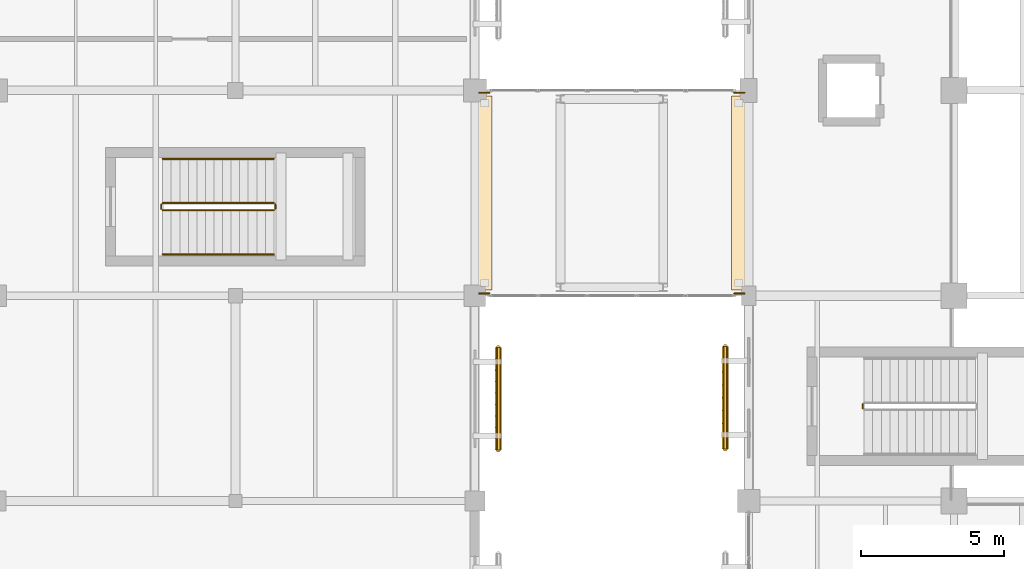
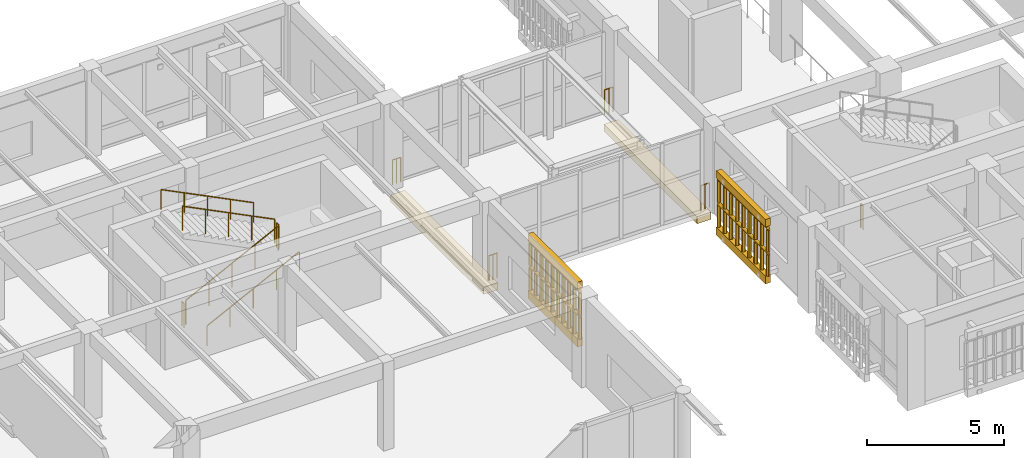
# One storey, part 154 of 170: 15 railings, 6 coverings.
"""IFC4 building model written with IfcOpenShell, lengths in metres."""

from ifc_helpers import new_model, si_unit, direction, frame, origin, origin_2d, place, context, subcontext, project, spatial, polyline, circle, outline, extrude, material, layer, layer_set, type_object, element, save


model = new_model("IFC4")

# Units and contexts
model_context = context("Model", 3, precision=1e-05, world=origin(), true_north=direction((0.0, 1.0)))
body_context = subcontext(model_context, "Body", "Model", "MODEL_VIEW")
ifc_project = project(units=[si_unit("LENGTHUNIT", "METRE"), si_unit("AREAUNIT", "SQUARE_METRE"), si_unit("VOLUMEUNIT", "CUBIC_METRE"), si_unit("PLANEANGLEUNIT", "RADIAN"), si_unit("MASSUNIT", "GRAM", prefix="KILO")], contexts=[model_context])

# Site, building, storey
site_placement = place(None, origin())
site = spatial("IfcSite", under=ifc_project, at=site_placement, CompositionType="ELEMENT")
building_placement = place(site_placement, origin())
building = spatial("IfcBuilding", under=site, at=building_placement, Name="Mazaris Harbour Polytechnic", CompositionType="ELEMENT")
storey_placement = place(building_placement, frame((0.0, 0.0, 5.39990234375)))
storey = spatial("IfcBuildingStorey", under=building, at=storey_placement, Name="L01", CompositionType="ELEMENT", Elevation=5.39990234375)

# Coverings
ifc_material_1 = material(Name="Concrete C40/50", Category="concrete")
ifc_layer_1 = layer(ifc_material_1, 0.320068359375, Name="Concrete C40/50")
ifc_layer_set_1 = layer_set([ifc_layer_1], Name="Concrete C40/50")
covering_type_1 = type_object("IfcCoveringType", Name="Bridge Bearing Corbel 600 Exterior", PredefinedType="CLADDING", material=ifc_layer_set_1)
covering_1_placement = place(storey_placement, frame((0.0, 0.0, -0.64990234375)))
element("IfcCovering", 1, at=covering_1_placement, inside=storey, type_object=covering_type_1, Name="PB-E1 L01 600mm Bridge Bearing Seat Corbel W", PredefinedType="CLADDING", context=body_context, shape_type="SweptSolid", body=[
    extrude(outline(polyline([(112.800048828125, 21.800048828125), (113.39990234375, 21.800048828125), (113.39990234375, 28.60009765625), (112.800048828125, 28.60009765625), (112.800048828125, 21.800048828125)])), origin(), (0.0, 0.0, 1.0), 0.320068359375),
])
covering_2_placement = place(storey_placement, frame((0.0, 0.0, -0.64990234375)))
element("IfcCovering", 2, at=covering_2_placement, inside=storey, type_object=covering_type_1, Name="PB-E1 L01 600mm Bridge Bearing Seat Corbel E", PredefinedType="CLADDING", context=body_context, shape_type="SweptSolid", body=[
    extrude(outline(polyline([(121.800048828125, 21.800048828125), (122.39990234375, 21.800048828125), (122.39990234375, 28.60009765625), (121.800048828125, 28.60009765625), (121.800048828125, 21.800048828125)])), origin(), (0.0, 0.0, 1.0), 0.320068359375),
])

# Railings
ifc_material_2 = material(Name="Steel S355", Category="steel")
railing_type_1 = type_object("IfcRailingType", Name="Mezzanine Steel Guardrail 1100 Exterior", PredefinedType="GUARDRAIL", material=ifc_material_2)
for number, where, name in (
    (3, (112.949951171875, 21.679931640625, 0.0), "PB-E1 L01 Bridge End Guard W0"),
    (4, (121.89990234375, 21.679931640625, 0.0), "PB-E1 L01 Bridge End Guard E0"),
    (5, (112.949951171875, 28.719970703125, 0.0), "PB-E1 L01 Bridge End Guard W1"),
    (6, (121.89990234375, 28.719970703125, 0.0), "PB-E1 L01 Bridge End Guard E1"),
):
    element("IfcRailing", number, at=place(storey_placement, frame(where)), inside=storey, type_object=railing_type_1, Name=name, PredefinedType="GUARDRAIL", context=body_context, shape_type="SweptSolid", body=[
        extrude(circle(Radius=0.02392578125, at=origin_2d()), frame((0.0, 0.0, 1.09619140625), z_axis=(1.0, 0.0, 0.0), x_axis=(0.0, 1.0, 0.0)), (0.0, 0.0, 1.0), 0.35009765625),
        extrude(circle(Radius=0.02099609375, at=origin_2d()), origin(), (0.0, 0.0, 1.0), 1.072021484375),
        extrude(circle(Radius=0.02099609375, at=origin_2d()), frame((0.175048828125, 0.0, 0.0)), (0.0, 0.0, 1.0), 1.072021484375),
        extrude(circle(Radius=0.02099609375, at=origin_2d()), frame((0.35009765625, 0.0, 0.0)), (0.0, 0.0, 1.0), 1.072021484375),
    ])
ifc_material_3 = material(Name="Perforated Earth-Coloured Terracotta Block", Category="masonry")
railing_type_2 = type_object("IfcRailingType", Name="Perforated Earth-Block Claustra Lattice 1040", PredefinedType="BALUSTRADE", material=ifc_material_3)
for number, where, name in (
    (7, (121.580078125, 16.22509765625, 0.52001953125), "V2 L01 Lower Perforated Terracotta Block Screen 59"),
    (8, (121.580078125, 16.22509765625, 1.610107421875), "V2 L01 Upper Perforated Terracotta Block Screen 59"),
):
    element("IfcRailing", number, at=place(storey_placement, frame(where)), inside=storey, type_object=railing_type_2, Name=name, PredefinedType="BALUSTRADE", context=body_context, shape_type="SweptSolid", body=[
        extrude(circle(Radius=0.06982421875, at=origin_2d()), frame((0.0, 0.0, 1.02001953125), z_axis=(0.0, 1.0, 0.0), x_axis=(-1.0, 0.0, 0.0)), (0.0, 0.0, 1.0), 3.599853515625),
        extrude(circle(Radius=0.074951171875, at=origin_2d()), origin(), (0.0, 0.0, 1.0), 0.9501953125),
        extrude(circle(Radius=0.074951171875, at=origin_2d()), frame((0.0, 0.449951171875, 0.0)), (0.0, 0.0, 1.0), 0.9501953125),
        extrude(circle(Radius=0.074951171875, at=origin_2d()), frame((0.0, 0.89990234375, 0.0)), (0.0, 0.0, 1.0), 0.9501953125),
        extrude(circle(Radius=0.074951171875, at=origin_2d()), frame((0.0, 1.349853515625, 0.0)), (0.0, 0.0, 1.0), 0.9501953125),
        extrude(circle(Radius=0.074951171875, at=origin_2d()), frame((0.0, 1.7998046875, 0.0)), (0.0, 0.0, 1.0), 0.9501953125),
        extrude(circle(Radius=0.074951171875, at=origin_2d()), frame((0.0, 2.25, 0.0)), (0.0, 0.0, 1.0), 0.9501953125),
        extrude(circle(Radius=0.074951171875, at=origin_2d()), frame((0.0, 2.699951171875, 0.0)), (0.0, 0.0, 1.0), 0.9501953125),
        extrude(circle(Radius=0.074951171875, at=origin_2d()), frame((0.0, 3.14990234375, 0.0)), (0.0, 0.0, 1.0), 0.9501953125),
        extrude(circle(Radius=0.074951171875, at=origin_2d()), frame((0.0, 3.599853515625, 0.0)), (0.0, 0.0, 1.0), 0.9501953125),
    ])
for number, where, name in (
    (9, (113.6201171875, 19.78759765625, 0.52001953125), "V3 L01 Lower Perforated Terracotta Block Screen 120"),
    (10, (113.6201171875, 19.78759765625, 1.610107421875), "V3 L01 Upper Perforated Terracotta Block Screen 120"),
):
    element("IfcRailing", number, at=place(storey_placement, frame(where)), inside=storey, type_object=railing_type_2, Name=name, PredefinedType="BALUSTRADE", context=body_context, shape_type="SweptSolid", body=[
        extrude(circle(Radius=0.06982421875, at=origin_2d()), frame((0.0, 0.0, 1.02001953125), z_axis=(0.0, -1.0, 0.0), x_axis=(1.0, 0.0, 0.0)), (0.0, 0.0, 1.0), 3.60009765625),
        extrude(circle(Radius=0.074951171875, at=origin_2d()), origin(), (0.0, 0.0, 1.0), 0.9501953125),
        extrude(circle(Radius=0.074951171875, at=origin_2d()), frame((0.0, -0.39990234375, 0.0)), (0.0, 0.0, 1.0), 0.9501953125),
        extrude(circle(Radius=0.074951171875, at=origin_2d()), frame((0.0, -0.800048828125, 0.0)), (0.0, 0.0, 1.0), 0.9501953125),
        extrude(circle(Radius=0.074951171875, at=origin_2d()), frame((0.0, -1.199951171875, 0.0)), (0.0, 0.0, 1.0), 0.9501953125),
        extrude(circle(Radius=0.074951171875, at=origin_2d()), frame((0.0, -1.60009765625, 0.0)), (0.0, 0.0, 1.0), 0.9501953125),
        extrude(circle(Radius=0.074951171875, at=origin_2d()), frame((0.0, -2.0, 0.0)), (0.0, 0.0, 1.0), 0.9501953125),
        extrude(circle(Radius=0.074951171875, at=origin_2d()), frame((0.0, -2.400146484375, 0.0)), (0.0, 0.0, 1.0), 0.9501953125),
        extrude(circle(Radius=0.074951171875, at=origin_2d()), frame((0.0, -2.800048828125, 0.0)), (0.0, 0.0, 1.0), 0.9501953125),
        extrude(circle(Radius=0.074951171875, at=origin_2d()), frame((0.0, -3.2001953125, 0.0)), (0.0, 0.0, 1.0), 0.9501953125),
        extrude(circle(Radius=0.074951171875, at=origin_2d()), frame((0.0, -3.60009765625, 0.0)), (0.0, 0.0, 1.0), 0.9501953125),
    ])
ifc_material_4 = material(Name="Stainless Steel S355", Category="steel")
railing_type_3 = type_object("IfcRailingType", Name="Stair Wall Handrail 900", PredefinedType="HANDRAIL", material=ifc_material_4)
railing_1_placement = place(storey_placement, frame((101.85009765625, 23.050048828125, 0.150146484375)))
element("IfcRailing", 11, at=railing_1_placement, inside=storey, type_object=railing_type_3, Name="L01 ST06 stair handrail 1", PredefinedType="HANDRAIL", context=body_context, shape_type="SweptSolid", body=[
    extrude(circle(Radius=0.02392578125, at=origin_2d()), frame((0.0, 0.0, 0.8759765625), z_axis=(0.894427191, 0.0, 0.4472135955), x_axis=(0.0, 1.0, 0.0)), (0.0, 0.0, 1.0), 4.360107421875),
    extrude(circle(Radius=0.02099609375, at=origin_2d()), origin(), (0.0, 0.0, 1.0), 0.851806640625),
    extrude(circle(Radius=0.02099609375, at=origin_2d()), frame((0.97509765625, 0.0, 0.487548828125)), (0.0, 0.0, 1.0), 0.851806640625),
    extrude(circle(Radius=0.02099609375, at=origin_2d()), frame((1.949951171875, 0.0, 0.97509765625)), (0.0, 0.0, 1.0), 0.851806640625),
    extrude(circle(Radius=0.02099609375, at=origin_2d()), frame((2.9248046875, 0.0, 1.46240234375)), (0.0, 0.0, 1.0), 0.851806640625),
    extrude(circle(Radius=0.02099609375, at=origin_2d()), frame((3.89990234375, 0.0, 1.949951171875)), (0.0, 0.0, 1.0), 0.851806640625),
])
railing_2_placement = place(storey_placement, frame((105.75, 26.39990234375, 2.25)))
element("IfcRailing", 12, at=railing_2_placement, inside=storey, type_object=railing_type_3, Name="L01 ST06 stair handrail 2", PredefinedType="HANDRAIL", context=body_context, shape_type="SweptSolid", body=[
    extrude(circle(Radius=0.02392578125, at=origin_2d()), frame((0.0, 0.0, 0.8759765625), z_axis=(-0.894404793364, 0.0, 0.447258387967), x_axis=(0.0, -1.0, 0.0)), (0.0, 0.0, 1.0), 4.3603515625),
    extrude(circle(Radius=0.02099609375, at=origin_2d()), origin(), (0.0, 0.0, 1.0), 0.851806640625),
    extrude(circle(Radius=0.02099609375, at=origin_2d()), frame((-0.97509765625, 0.0, 0.487548828125)), (0.0, 0.0, 1.0), 0.851806640625),
    extrude(circle(Radius=0.02099609375, at=origin_2d()), frame((-1.949951171875, 0.0, 0.97509765625)), (0.0, 0.0, 1.0), 0.851806640625),
    extrude(circle(Radius=0.02099609375, at=origin_2d()), frame((-2.9248046875, 0.0, 1.462646484375)), (0.0, 0.0, 1.0), 0.851806640625),
    extrude(circle(Radius=0.02099609375, at=origin_2d()), frame((-3.89990234375, 0.0, 1.9501953125)), (0.0, 0.0, 1.0), 0.851806640625),
])
ifc_material_5 = material(Name="Steel S355", Category="steel")
railing_type_4 = type_object("IfcRailingType", Name="Stair Well Guardrail 1100", PredefinedType="GUARDRAIL", material=ifc_material_5)
railing_3_placement = place(storey_placement, frame((126.39990234375, 17.64990234375, 0.0)))
element("IfcRailing", 13, at=railing_3_placement, inside=storey, type_object=railing_type_4, Name="L01 ST03 stair guard 4", PredefinedType="GUARDRAIL", context=body_context, shape_type="SweptSolid", body=[
    extrude(circle(Radius=0.02392578125, at=origin_2d()), frame((0.0, 0.0, 1.076171875), z_axis=(0.0, 1.0, 0.0), x_axis=(-1.0, 0.0, 0.0)), (0.0, 0.0, 1.0), 0.150146484375),
    extrude(circle(Radius=0.02099609375, at=origin_2d()), origin(), (0.0, 0.0, 1.0), 1.052001953125),
    extrude(circle(Radius=0.02099609375, at=origin_2d()), frame((0.0, 0.150146484375, 0.0)), (0.0, 0.0, 1.0), 1.052001953125),
])
railing_4_placement = place(storey_placement, frame((101.85009765625, 24.60009765625, 0.150146484375)))
element("IfcRailing", 14, at=railing_4_placement, inside=storey, type_object=railing_type_4, Name="L01 ST06 stair guard 1", PredefinedType="GUARDRAIL", context=body_context, shape_type="SweptSolid", body=[
    extrude(circle(Radius=0.02392578125, at=origin_2d()), frame((0.0, 0.0, 1.076171875), z_axis=(0.894427191, 0.0, 0.4472135955), x_axis=(0.0, 1.0, 0.0)), (0.0, 0.0, 1.0), 4.360107421875),
    extrude(circle(Radius=0.02099609375, at=origin_2d()), origin(), (0.0, 0.0, 1.0), 1.052001953125),
    extrude(circle(Radius=0.02099609375, at=origin_2d()), frame((0.97509765625, 0.0, 0.487548828125)), (0.0, 0.0, 1.0), 1.052001953125),
    extrude(circle(Radius=0.02099609375, at=origin_2d()), frame((1.949951171875, 0.0, 0.97509765625)), (0.0, 0.0, 1.0), 1.052001953125),
    extrude(circle(Radius=0.02099609375, at=origin_2d()), frame((2.9248046875, 0.0, 1.46240234375)), (0.0, 0.0, 1.0), 1.052001953125),
    extrude(circle(Radius=0.02099609375, at=origin_2d()), frame((3.89990234375, 0.0, 1.949951171875)), (0.0, 0.0, 1.0), 1.052001953125),
])
railing_5_placement = place(storey_placement, frame((105.800048828125, 24.64990234375, 2.10009765625)))
element("IfcRailing", 15, at=railing_5_placement, inside=storey, type_object=railing_type_4, Name="L01 ST06 stair guard 2", PredefinedType="GUARDRAIL", context=body_context, shape_type="SweptSolid", body=[
    extrude(circle(Radius=0.02392578125, at=origin_2d()), frame((0.0, 0.0, 1.076171875), z_axis=(0.0, 1.0, 0.0), x_axis=(-1.0, 0.0, 0.0)), (0.0, 0.0, 1.0), 0.150146484375),
    extrude(circle(Radius=0.02099609375, at=origin_2d()), origin(), (0.0, 0.0, 1.0), 1.052001953125),
    extrude(circle(Radius=0.02099609375, at=origin_2d()), frame((0.0, 0.150146484375, 0.0)), (0.0, 0.0, 1.0), 1.052001953125),
])
railing_6_placement = place(storey_placement, frame((105.75, 24.85009765625, 2.25)))
element("IfcRailing", 16, at=railing_6_placement, inside=storey, type_object=railing_type_4, Name="L01 ST06 stair guard 3", PredefinedType="GUARDRAIL", context=body_context, shape_type="SweptSolid", body=[
    extrude(circle(Radius=0.02392578125, at=origin_2d()), frame((0.0, 0.0, 1.076171875), z_axis=(-0.894404793364, 0.0, 0.447258387967), x_axis=(0.0, -1.0, 0.0)), (0.0, 0.0, 1.0), 4.3603515625),
    extrude(circle(Radius=0.02099609375, at=origin_2d()), origin(), (0.0, 0.0, 1.0), 1.052001953125),
    extrude(circle(Radius=0.02099609375, at=origin_2d()), frame((-0.97509765625, 0.0, 0.487548828125)), (0.0, 0.0, 1.0), 1.052001953125),
    extrude(circle(Radius=0.02099609375, at=origin_2d()), frame((-1.949951171875, 0.0, 0.97509765625)), (0.0, 0.0, 1.0), 1.052001953125),
    extrude(circle(Radius=0.02099609375, at=origin_2d()), frame((-2.9248046875, 0.0, 1.462646484375)), (0.0, 0.0, 1.0), 1.052001953125),
    extrude(circle(Radius=0.02099609375, at=origin_2d()), frame((-3.89990234375, 0.0, 1.9501953125)), (0.0, 0.0, 1.0), 1.052001953125),
])
railing_7_placement = place(storey_placement, frame((101.800048828125, 24.64990234375, 0.0)))
element("IfcRailing", 17, at=railing_7_placement, inside=storey, type_object=railing_type_4, Name="L01 ST06 stair guard 4", PredefinedType="GUARDRAIL", context=body_context, shape_type="SweptSolid", body=[
    extrude(circle(Radius=0.02392578125, at=origin_2d()), frame((0.0, 0.0, 1.076171875), z_axis=(0.0, 1.0, 0.0), x_axis=(-1.0, 0.0, 0.0)), (0.0, 0.0, 1.0), 0.150146484375),
    extrude(circle(Radius=0.02099609375, at=origin_2d()), origin(), (0.0, 0.0, 1.0), 1.052001953125),
    extrude(circle(Radius=0.02099609375, at=origin_2d()), frame((0.0, 0.150146484375, 0.0)), (0.0, 0.0, 1.0), 1.052001953125),
])

# Coverings
ifc_material_6 = material(Name="Perforated Earth-Coloured Terracotta Block", Category="masonry")
ifc_layer_2 = layer(ifc_material_6, 0.219970703125, Name="Perforated Earth-Coloured Terracotta Block")
ifc_layer_set_2 = layer_set([ifc_layer_2], Name="Perforated Earth-Coloured Terracotta Block")
covering_type_2 = type_object("IfcCoveringType", Name="Terracotta Screen Course Cladding 220", PredefinedType="CLADDING", material=ifc_layer_set_2)
covering_3_placement = place(storey_placement, frame((0.0, 0.0, 0.16015625)))
element("IfcCovering", 18, at=covering_3_placement, inside=storey, type_object=covering_type_2, Name="V2 L01 Perforated Screen Sill Course 59", PredefinedType="CLADDING", context=body_context, shape_type="SweptSolid", body=[
    extrude(outline(polyline([(121.68994140625, 16.22509765625), (121.68994140625, 19.824951171875), (121.469970703125, 19.824951171875), (121.469970703125, 16.22509765625), (121.68994140625, 16.22509765625)])), origin(), (0.0, 0.0, 1.0), 0.35986328125),
])
covering_4_placement = place(storey_placement, frame((0.0, 0.0, 2.7001953125)))
element("IfcCovering", 19, at=covering_4_placement, inside=storey, type_object=covering_type_2, Name="V2 L01 Perforated Screen Lintel Course 59", PredefinedType="CLADDING", context=body_context, shape_type="SweptSolid", body=[
    extrude(outline(polyline([(121.68994140625, 16.22509765625), (121.68994140625, 19.824951171875), (121.469970703125, 19.824951171875), (121.469970703125, 16.22509765625), (121.68994140625, 16.22509765625)])), origin(), (0.0, 0.0, 1.0), 0.33984375),
])
covering_5_placement = place(storey_placement, frame((0.0, 0.0, 0.16015625)))
element("IfcCovering", 20, at=covering_5_placement, inside=storey, type_object=covering_type_2, Name="V3 L01 Perforated Screen Sill Course 120", PredefinedType="CLADDING", context=body_context, shape_type="SweptSolid", body=[
    extrude(outline(polyline([(113.510009765625, 19.78759765625), (113.510009765625, 16.1875), (113.72998046875, 16.1875), (113.72998046875, 19.78759765625), (113.510009765625, 19.78759765625)])), origin(), (0.0, 0.0, 1.0), 0.35986328125),
])
covering_6_placement = place(storey_placement, frame((0.0, 0.0, 2.7001953125)))
element("IfcCovering", 21, at=covering_6_placement, inside=storey, type_object=covering_type_2, Name="V3 L01 Perforated Screen Lintel Course 120", PredefinedType="CLADDING", context=body_context, shape_type="SweptSolid", body=[
    extrude(outline(polyline([(113.510009765625, 19.78759765625), (113.510009765625, 16.1875), (113.72998046875, 16.1875), (113.72998046875, 19.78759765625), (113.510009765625, 19.78759765625)])), origin(), (0.0, 0.0, 1.0), 0.33984375),
])

save(model, "model.ifc")
